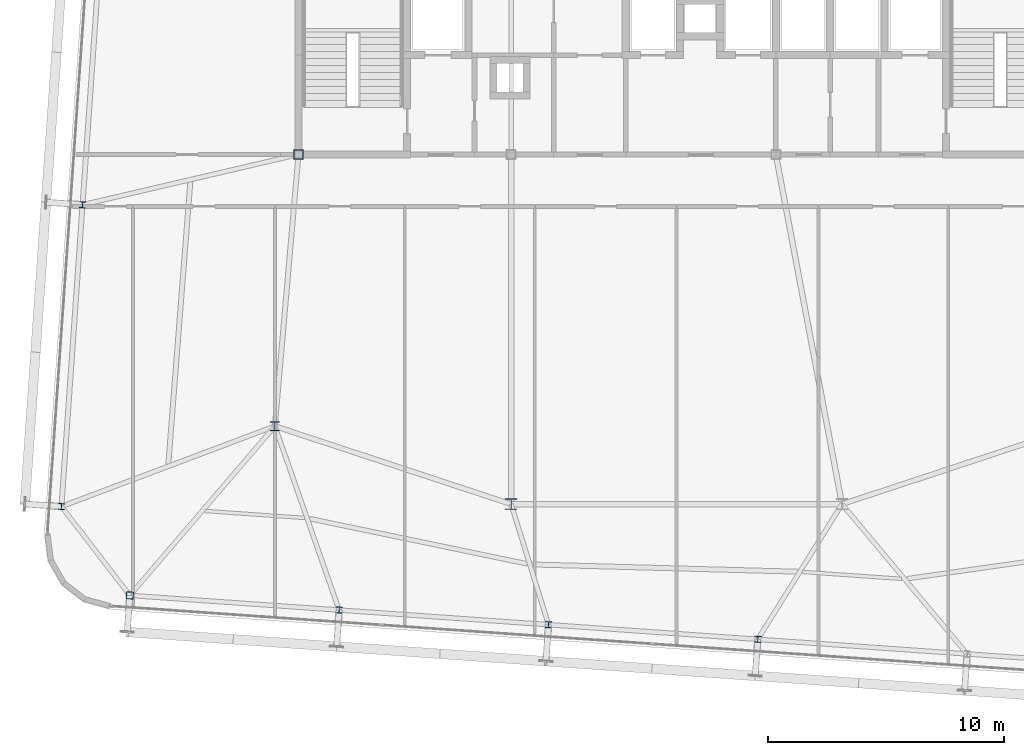
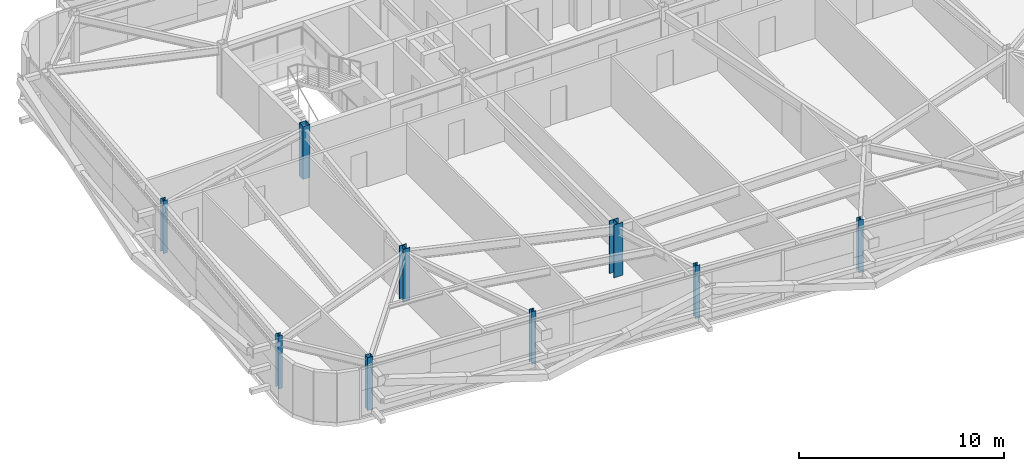
# One storey, part 1 of 39: 9 columns.
"""IFC4 building model written with IfcOpenShell, lengths in metres."""

from ifc_helpers import new_model, si_unit, direction, frame, origin, origin_2d, place, context, subcontext, project, spatial, hollow_rectangle, i_section, extrude, source, transform, mapped, material, material_profile, profile_set, type_object, element, save


model = new_model("IFC4")

# Units and contexts
model_context = context("Model", 3, precision=1e-05, world=origin(), true_north=direction((0.0, 1.0)))
body_context = subcontext(model_context, "Body", "Model", "MODEL_VIEW")
ifc_project = project(units=[si_unit("LENGTHUNIT", "METRE"), si_unit("AREAUNIT", "SQUARE_METRE"), si_unit("VOLUMEUNIT", "CUBIC_METRE"), si_unit("PLANEANGLEUNIT", "RADIAN"), si_unit("MASSUNIT", "GRAM", prefix="KILO")], contexts=[model_context])

# Site, building, storey
site_placement = place(None, origin())
site = spatial("IfcSite", under=ifc_project, at=site_placement, CompositionType="ELEMENT")
building_placement = place(site_placement, origin())
building = spatial("IfcBuilding", under=site, at=building_placement, Name="Taldren Reach Tower", CompositionType="ELEMENT")
storey_placement = place(building_placement, frame((0.0, 0.0, 123.550048828125)))
storey = spatial("IfcBuildingStorey", under=building, at=storey_placement, Name="L37", CompositionType="ELEMENT", Elevation=123.550048828125)

# Columns
ifc_material_1 = material(Name="Steel Gr 350 (350PLUS)", Category="steel")
ifc_material_profile_1 = material_profile(ifc_material_1, i_section(OverallWidth=0.39990234375, OverallDepth=0.39599609375, WebThickness=0.02197265625, FlangeThickness=0.033935546875, at=origin_2d()), Name="400WC270")
ifc_profile_set_1 = profile_set([ifc_material_profile_1], Name="Steel Gr 350 (350PLUS)")
column_type_1 = type_object("IfcColumnType", Name="COL-WC400", PredefinedType="COLUMN", material=ifc_profile_set_1)
shared_shape_1 = source(origin(), body_context, "Body", "SweptSolid", [
    extrude(i_section(OverallWidth=0.39990234375, OverallDepth=0.39599609375, WebThickness=0.02197265625, FlangeThickness=0.033935546875, at=origin_2d()), origin(), (0.0, 0.0, 1.0), 3.14990234375),
])
column_1_placement = place(storey_placement, frame((18.0, 12.5, 0.0), z_axis=(0.0, 0.0, 1.0), x_axis=(1.0, 0.0, 0.0)))
element("IfcColumn", 1, at=column_1_placement, inside=storey, type_object=column_type_1, Name="Mega column MC-SW L37", PredefinedType="COLUMN", context=body_context, shape_type="MappedRepresentation", body=[
    mapped(shared_shape_1, transform((0.0, 0.0, 0.0), scale=1.0)),
])
ifc_material_profile_2 = material_profile(ifc_material_1, i_section(OverallWidth=0.5, OverallDepth=0.464111328125, WebThickness=0.02197265625, FlangeThickness=0.033935546875, at=origin_2d()), Name="500WC340")
ifc_profile_set_2 = profile_set([ifc_material_profile_2], Name="Steel Gr 350 (350PLUS)")
column_type_2 = type_object("IfcColumnType", Name="COL-WC500B", PredefinedType="COLUMN", material=ifc_profile_set_2)
shared_shape_2 = source(origin(), body_context, "Body", "SweptSolid", [
    extrude(i_section(OverallWidth=0.5, OverallDepth=0.464111328125, WebThickness=0.02197265625, FlangeThickness=0.033935546875, at=origin_2d()), origin(), (0.0, 0.0, 1.0), 3.14990234375),
])
column_2_placement = place(storey_placement, frame((28.0, 9.199951171875, 0.0), z_axis=(0.0, 0.0, 1.0), x_axis=(1.0, 0.0, 0.0)))
element("IfcColumn", 2, at=column_2_placement, inside=storey, type_object=column_type_2, Name="Mega column MC-PJW L37", PredefinedType="COLUMN", context=body_context, shape_type="MappedRepresentation", body=[
    mapped(shared_shape_2, transform((0.0, 0.0, 0.0), scale=1.0)),
])
ifc_material_2 = material(Name="Steel Gr 450 (C450L0)", Category="steel")
ifc_material_profile_3 = material_profile(ifc_material_2, hollow_rectangle(XDim=0.39990234375, YDim=0.39990234375, WallThickness=0.01611328125, at=origin_2d()), Name="400x400x16.0SHS")
ifc_profile_set_3 = profile_set([ifc_material_profile_3], Name="Steel Gr 450 (C450L0)")
column_type_3 = type_object("IfcColumnType", Name="COL-SHS400", PredefinedType="COLUMN", material=ifc_profile_set_3)
shared_shape_3 = source(origin(), body_context, "Body", "SweptSolid", [
    extrude(hollow_rectangle(XDim=0.39990234375, YDim=0.39990234375, WallThickness=0.01611328125, at=origin_2d()), origin(), (0.0, 0.0, 1.0), 3.14990234375),
])
column_3_placement = place(storey_placement, frame((19.0, 24.0, 0.0), z_axis=(0.0, 0.0, 1.0), x_axis=(1.0, 0.0, 0.0)))
element("IfcColumn", 3, at=column_3_placement, inside=storey, type_object=column_type_3, Name="Mega column MC-C1 L37", PredefinedType="COLUMN", context=body_context, shape_type="MappedRepresentation", body=[
    mapped(shared_shape_3, transform((0.0, 0.0, 0.0), scale=1.0)),
])
ifc_material_profile_4 = material_profile(ifc_material_2, hollow_rectangle(XDim=0.300048828125, YDim=0.300048828125, WallThickness=0.012451171875, at=origin_2d()), Name="300x300x12.5SHS")
ifc_profile_set_4 = profile_set([ifc_material_profile_4], Name="Steel Gr 450 (C450L0)")
column_type_4 = type_object("IfcColumnType", Name="COL-SHS300", PredefinedType="COLUMN", material=ifc_profile_set_4)
shared_shape_4 = source(origin(), body_context, "Body", "SweptSolid", [
    extrude(hollow_rectangle(XDim=0.300048828125, YDim=0.300048828125, WallThickness=0.012451171875, at=origin_2d()), origin(), (0.0, 0.0, 1.0), 3.14990234375),
])
column_4_placement = place(storey_placement, frame((11.863525390625, 5.33837890625, 0.0), z_axis=(0.0, 0.0, 1.0), x_axis=(0.99756405026, -0.069756473744, 0.0)))
element("IfcColumn", 4, at=column_4_placement, inside=storey, type_object=column_type_4, Name="Block B3 perimeter column S1 L37", PredefinedType="COLUMN", context=body_context, shape_type="MappedRepresentation", body=[
    mapped(shared_shape_4, transform((0.0, 0.0, 0.0), scale=1.0)),
])
ifc_material_profile_5 = material_profile(ifc_material_1, i_section(OverallWidth=0.256103515625, OverallDepth=0.260009765625, WebThickness=0.010498046875, FlangeThickness=0.017333984375, at=origin_2d()), Name="250UC89.5")
ifc_profile_set_5 = profile_set([ifc_material_profile_5], Name="Steel Gr 350 (350PLUS)")
column_type_5 = type_object("IfcColumnType", Name="COL-UC250", PredefinedType="COLUMN", material=ifc_profile_set_5)
shared_shape_5 = source(origin(), body_context, "Body", "SweptSolid", [
    extrude(i_section(OverallWidth=0.256103515625, OverallDepth=0.260009765625, WebThickness=0.010498046875, FlangeThickness=0.017333984375, at=origin_2d()), origin(), (0.0, 0.0, 1.0), 3.14990234375),
])
for number, where, z_axis, x_axis, name in (
    (5, (20.721923828125, 4.718994140625, 0.0), (0.0, 0.0, 1.0), (0.99756405026, -0.069756473744, 0.0), "Block B3 perimeter column S2 L37"),
    (6, (29.580322265625, 4.099609375, 0.0), (0.0, 0.0, 1.0), (0.99756405026, -0.069756473744, 0.0), "Block B3 perimeter column S3 L37"),
    (7, (38.438720703125, 3.480224609375, 0.0), (0.0, 0.0, 1.0), (0.99756405026, -0.069756473744, 0.0), "Block B3 perimeter column S4 L37"),
    (8, (8.96875, 9.099609375, 0.0), (0.0, 0.0, 1.0), (0.99756405026, -0.069756473744, 0.0), "Block B3 perimeter column W1 L37"),
    (9, (9.86181640625, 21.868408203125, 0.0), (0.0, 0.0, 1.0), (0.99756405026, -0.069756473744, 0.0), "Block B3 perimeter column W2 L37"),
):
    element("IfcColumn", number, at=place(storey_placement, frame(where, z_axis=z_axis, x_axis=x_axis)), inside=storey, type_object=column_type_5, Name=name, PredefinedType="COLUMN", context=body_context, shape_type="MappedRepresentation", body=[
        mapped(shared_shape_5, transform((0.0, 0.0, 0.0), scale=1.0)),
    ])

save(model, "model.ifc")
